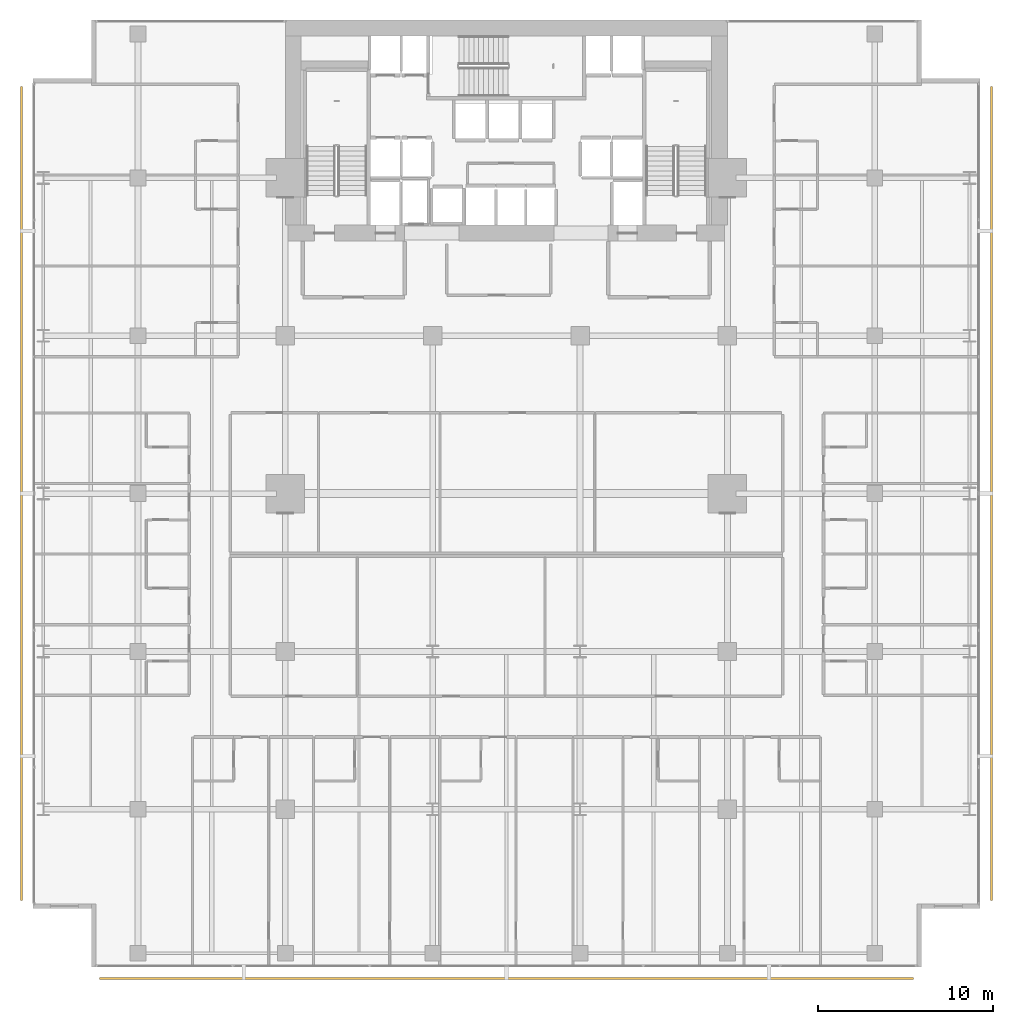
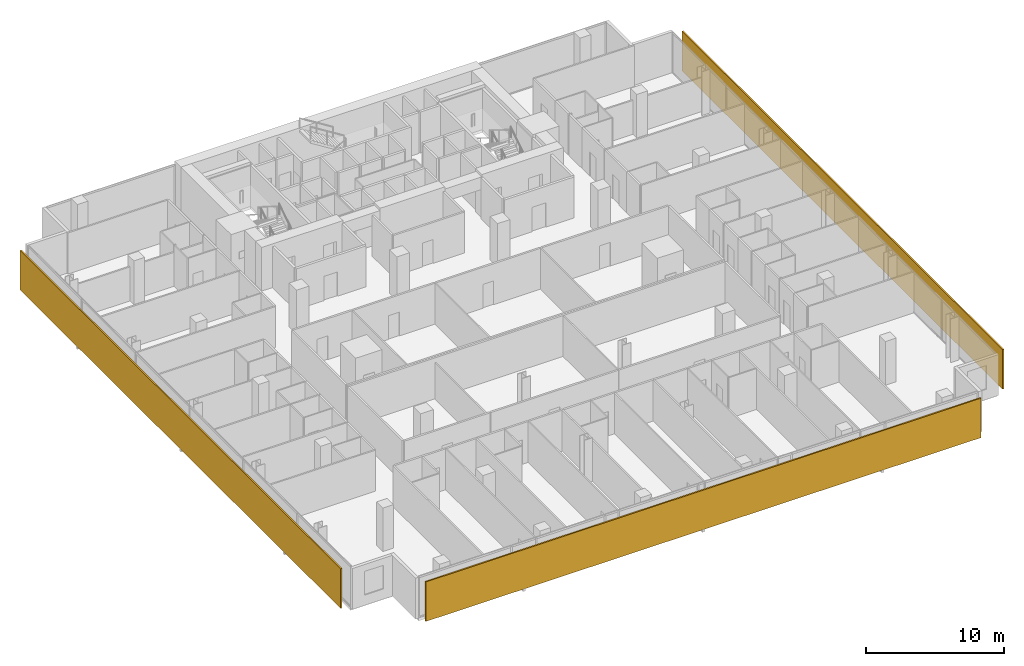
# One storey, part 39 of 40: 3 shading devices.
"""IFC4 building model written with IfcOpenShell, lengths in metres."""

from ifc_helpers import new_model, si_unit, direction, frame, origin, origin_2d, place, context, subcontext, project, spatial, rectangle, extrude, material, layer, layer_set, type_object, element, save


model = new_model("IFC4")

# Units and contexts
model_context = context("Model", 3, precision=1e-05, world=origin(), true_north=direction((0.0, 1.0)))
body_context = subcontext(model_context, "Body", "Model", "MODEL_VIEW")
ifc_project = project(units=[si_unit("LENGTHUNIT", "METRE"), si_unit("AREAUNIT", "SQUARE_METRE"), si_unit("VOLUMEUNIT", "CUBIC_METRE"), si_unit("PLANEANGLEUNIT", "RADIAN"), si_unit("MASSUNIT", "GRAM", prefix="KILO")], contexts=[model_context])

# Site, building, storey
site_placement = place(None, origin())
site = spatial("IfcSite", under=ifc_project, at=site_placement, CompositionType="ELEMENT")
building_placement = place(site_placement, origin())
building = spatial("IfcBuilding", under=site, at=building_placement, Name="Maruvema Waterfront Hotel and Observation Tower", CompositionType="ELEMENT")
storey_placement = place(building_placement, frame((0.0, 0.0, 77.0)))
storey = spatial("IfcBuildingStorey", under=building, at=storey_placement, Name="L18", CompositionType="ELEMENT", Elevation=77.0)

# Shading devices
ifc_material = material(Name="Honed travertine stone and anodised architectural bronze", Category="masonry")
ifc_layer = layer(ifc_material, 0.1201171875, Name="Ventilated Outer Skin Cobogo Stone-and-Bronze Screen 120 mm")
ifc_layer_set = layer_set([ifc_layer], Name="Honed travertine stone and anodised architectural bronze")
shading_device_type = type_object("IfcShadingDeviceType", Name="Ventilated Outer Skin Cobogo Stone-and-Bronze Screen 120 mm", PredefinedType="USERDEFINED", material=ifc_layer_set)
for number, where, z_axis, x_axis, name in (
    (1, (37.800048828125, -0.64990234375, 0.06005859375), (0.0, 0.0, 1.0), (1.0, 0.0, 0.0), "L18 Ventilated Double-Skin Outer Cobogo Screen OS-L18-S"),
    (2, (65.449951171875, 27.0, 0.06005859375), (0.0, 0.0, 1.0), (0.0, 1.0, 0.0), "L18 Ventilated Double-Skin Outer Cobogo Screen OS-L18-E"),
    (3, (10.14990234375, 27.0, 0.06005859375), (0.0, 0.0, 1.0), (0.0, -1.0, 0.0), "L18 Ventilated Double-Skin Outer Cobogo Screen OS-L18-W"),
):
    element("IfcShadingDevice", number, at=place(storey_placement, frame(where, z_axis=z_axis, x_axis=x_axis)), inside=storey, type_object=shading_device_type, Name=name, ObjectType="OUTER SKIN SCREEN", PredefinedType="USERDEFINED", context=body_context, shape_type="SweptSolid", body=[
        extrude(rectangle(XDim=46.39990234375, YDim=0.1201171875, at=origin_2d()), origin(), (0.0, 0.0, 1.0), 3.489990234375),
    ])

save(model, "model.ifc")
